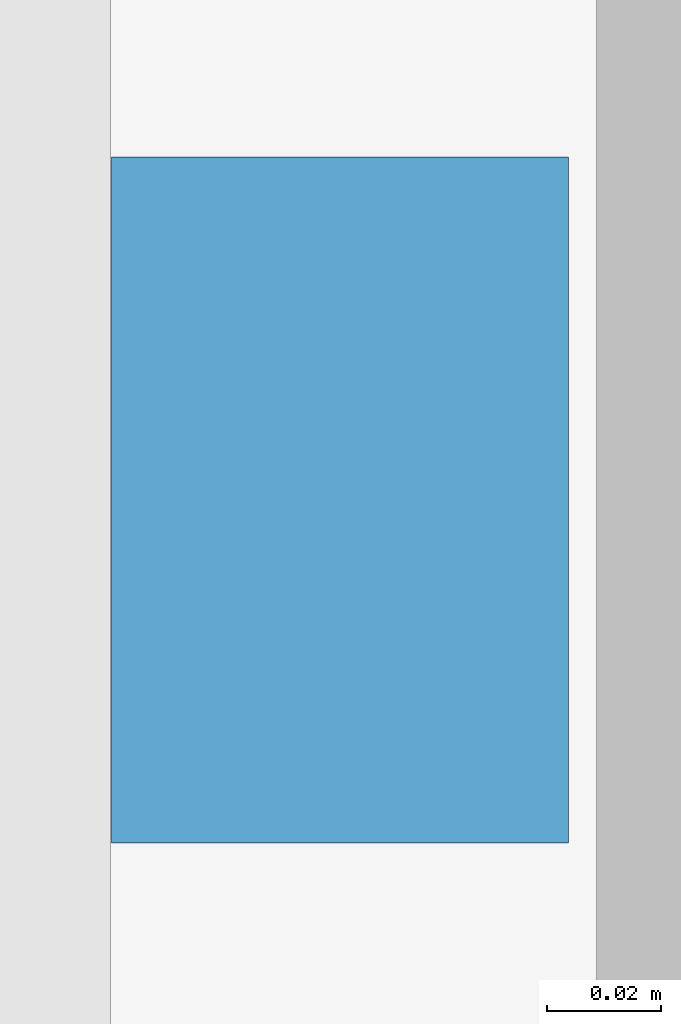
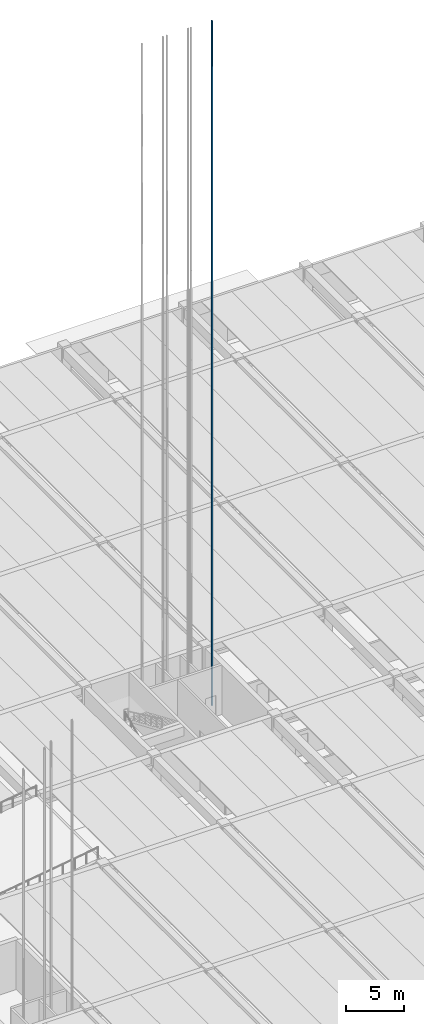
# One storey, part 49 of 59: 1 discrete accessory.
"""IFC4 building model written with IfcOpenShell, lengths in metres."""

import ifcopenshell
import ifcopenshell.guid

model = None  # the IFC model being written
_history = None  # IfcOwnerHistory: only IFC2X3 demands one
_inside = {}  # id of a spatial element -> (the spatial element, [elements in it])
_under = {}  # id of a project, library or spatial element -> (it, [spatial elements below it])
_declared = {}  # id of a project -> (the project, [libraries it declares])
_typed = {}  # id of a type object -> (the type object, [elements of that type])
_made_of = {}  # id of a material, layer set ... -> (it, [elements and type objects made of it])


def new_model(schema):
    """Start an empty IFC model of exactly this schema.

    Asked for "IFC4X3", IfcOpenShell would pick the latest addendum, in which some entities
    have other attributes; the version numbers below select the first issue.
    IFC2X3 requires an IfcOwnerHistory on every rooted entity: one is made here for all.
    """
    global model, _history
    if schema == "IFC4X3":
        model = ifcopenshell.file(schema_version=(4, 3, 0, 0))
    else:
        model = ifcopenshell.file(schema=schema)
    _inside.clear()
    _under.clear()
    _declared.clear()
    _typed.clear()
    _made_of.clear()
    _history = None
    if model.schema == "IFC2X3":
        org = make("IfcOrganization", Name="unknown")
        user = make(
            "IfcPersonAndOrganization",
            ThePerson=make("IfcPerson", FamilyName="unknown"),
            TheOrganization=org,
        )
        app = make(
            "IfcApplication",
            ApplicationDeveloper=org,
            Version="unknown",
            ApplicationFullName="unknown",
            ApplicationIdentifier="unknown",
        )
        _history = make(
            "IfcOwnerHistory",
            OwningUser=user,
            OwningApplication=app,
            ChangeAction="ADDED",
            CreationDate=0,
        )
    return model


def make(cls, **values):
    """One entity of the class cls with the attributes given. An attribute that is None is left unset."""
    return model.create_entity(
        cls, **{name: value for name, value in values.items() if value is not None}
    )


def rooted(cls, **values):
    """An entity with a GlobalId (a new one), such as an element, a storey or a relation."""
    return make(cls, GlobalId=ifcopenshell.guid.new(), OwnerHistory=_history, **values)


def si_unit(unit_type, name, prefix=None):
    """IfcSIUnit, for example si_unit("LENGTHUNIT", "METRE", prefix="MILLI")."""
    return make("IfcSIUnit", UnitType=unit_type, Prefix=prefix, Name=name)


def assignment(units):
    """IfcUnitAssignment: the units of a project."""
    return None if units is None else make("IfcUnitAssignment", Units=units)


def point(xyz):
    """IfcCartesianPoint."""
    return None if xyz is None else make("IfcCartesianPoint", Coordinates=xyz)


def direction(xyz):
    """IfcDirection."""
    return None if xyz is None else make("IfcDirection", DirectionRatios=xyz)


def frame(location, z_axis=None, x_axis=None):
    """IfcAxis2Placement3D, a coordinate frame: its origin and axes. An axis left out is left unset."""
    return make(
        "IfcAxis2Placement3D",
        Location=point(location),
        Axis=direction(z_axis),
        RefDirection=direction(x_axis),
    )


def frame_2d(location, x_axis=None):
    """IfcAxis2Placement2D, a coordinate frame in the plane: its origin and x axis."""
    return make(
        "IfcAxis2Placement2D", Location=point(location), RefDirection=direction(x_axis)
    )


def origin():
    """The frame at (0, 0, 0) with its axes left unset."""
    return frame((0.0, 0.0, 0.0))


def origin_2d():
    """The frame at (0, 0) in the plane with its x axis left unset."""
    return frame_2d((0.0, 0.0))


def place(relative_to, where):
    """IfcLocalPlacement: puts the frame where relative to a parent placement (None: the world)."""
    return make(
        "IfcLocalPlacement", PlacementRelTo=relative_to, RelativePlacement=where
    )


def context(
    kind, dimensions, precision=None, world=None, true_north=None, identifier=None
):
    """IfcGeometricRepresentationContext, for example the 3D "Model" context."""
    return make(
        "IfcGeometricRepresentationContext",
        ContextIdentifier=identifier,
        ContextType=kind,
        CoordinateSpaceDimension=dimensions,
        Precision=precision,
        WorldCoordinateSystem=world,
        TrueNorth=true_north,
    )


def subcontext(parent, identifier, kind, view, scale=None):
    """IfcGeometricRepresentationSubContext, for example "Body" below "Model"."""
    return make(
        "IfcGeometricRepresentationSubContext",
        ContextIdentifier=identifier,
        ContextType=kind,
        ParentContext=parent,
        TargetScale=scale,
        TargetView=view,
    )


def project(units=None, contexts=None):
    """IfcProject with its units and contexts."""
    return rooted(
        "IfcProject",
        Name="project",
        RepresentationContexts=contexts,
        UnitsInContext=assignment(units),
    )


def spatial(cls, under=None, at=None, **own):
    """A site, building, storey or space (cls), placed at a placement, below another one or the project."""
    s = rooted(cls, ObjectPlacement=at, **own)
    if under is not None:
        _under.setdefault(under.id(), (under, []))[1].append(s)
    return s


def profile(cls, at=None, kind="AREA", **sizes):
    """A parametric profile (cls). Its sizes go by their IFC names, for example OverallWidth=200.0."""
    return make(cls, ProfileType=kind, Position=at, **sizes)


def rectangle(**sizes):
    """IfcRectangleProfileDef."""
    return profile("IfcRectangleProfileDef", **sizes)


def extrude(swept, where, along, depth):
    """IfcExtrudedAreaSolid: the profile swept, set in the frame where, extruded along a direction by depth."""
    return make(
        "IfcExtrudedAreaSolid",
        SweptArea=swept,
        Position=where,
        ExtrudedDirection=direction(along),
        Depth=depth,
    )


def shape(context_of_items, identifier, shape_type, items):
    """IfcShapeRepresentation: the items that make up one representation, for example the "Body"."""
    return make(
        "IfcShapeRepresentation",
        ContextOfItems=context_of_items,
        RepresentationIdentifier=identifier,
        RepresentationType=shape_type,
        Items=items,
    )


def material(Name=None, Category=None):
    """IfcMaterial."""
    return make("IfcMaterial", Name=Name, Category=Category)


def made_of(thing, what):
    """Note that an element or type object is made of a material, layer set ...; save() writes the relation."""
    if what is not None:
        _made_of.setdefault(what.id(), (what, []))[1].append(thing)
    return thing


def type_object(cls, material=None, **own):
    """A type object (cls), such as IfcWallType, which elements share."""
    return made_of(rooted(cls, **own), material)


def element(
    cls,
    number,
    at=None,
    inside=None,
    cuts=None,
    type_object=None,
    material=None,
    context=None,
    identifier="Body",
    shape_type=None,
    held_by="IfcProductDefinitionShape",
    body=None,
    shapes=None,
    **own,
):
    """One element of the class cls, such as IfcWall. Its Tag is "e" and its number.

    at: its placement. inside: the storey or other place that contains it. cuts: it is an
    opening in that element (IfcRelVoidsElement). A single representation is given by context,
    identifier, shape_type and body (its items); several are given by shapes. held_by: the class
    of the entity that holds the representations. save() writes the other relations.
    """
    e = rooted(cls, Tag="e%d" % number, ObjectPlacement=at, **own)
    if body is not None:
        shapes = [shape(context, identifier, shape_type, body)]
    if shapes is not None:
        e.Representation = make(held_by, Representations=shapes)
    if inside is not None:
        _inside.setdefault(inside.id(), (inside, []))[1].append(e)
    if cuts is not None:
        rooted(
            "IfcRelVoidsElement", RelatingBuildingElement=cuts, RelatedOpeningElement=e
        )
    if type_object is not None:
        _typed.setdefault(type_object.id(), (type_object, []))[1].append(e)
    return made_of(e, material)


def aggregate(whole, parts):
    """IfcRelAggregates: a whole, such as a stair, and the parts it consists of."""
    return rooted("IfcRelAggregates", RelatingObject=whole, RelatedObjects=parts)


def save(model, path):
    """Write the relations noted so far, then the file.

    IfcRelAggregates (storeys below a building ...), IfcRelContainedInSpatialStructure (elements
    in a storey), IfcRelDefinesByType, IfcRelAssociatesMaterial and IfcRelDeclares: one each for
    every whole, place, type object, material and project.
    """
    for whole, parts in _under.values():
        aggregate(whole, parts)
    for where, things in _inside.values():
        rooted(
            "IfcRelContainedInSpatialStructure",
            RelatedElements=things,
            RelatingStructure=where,
        )
    for kind, things in _typed.values():
        rooted("IfcRelDefinesByType", RelatedObjects=things, RelatingType=kind)
    for what, things in _made_of.values():
        rooted("IfcRelAssociatesMaterial", RelatedObjects=things, RelatingMaterial=what)
    for by, libraries in _declared.values():
        rooted("IfcRelDeclares", RelatingContext=by, RelatedDefinitions=libraries)
    model.write(path)


model = new_model("IFC4")

# Units and contexts
model_context = context("Model", 3, precision=1e-05, world=origin(), true_north=direction((0.0, 1.0)))
body_context = subcontext(model_context, "Body", "Model", "MODEL_VIEW")
ifc_project = project(units=[si_unit("LENGTHUNIT", "METRE"), si_unit("AREAUNIT", "SQUARE_METRE"), si_unit("VOLUMEUNIT", "CUBIC_METRE"), si_unit("PLANEANGLEUNIT", "RADIAN"), si_unit("MASSUNIT", "GRAM", prefix="KILO")], contexts=[model_context])

# Site, building, storey
site_placement = place(None, origin())
site = spatial("IfcSite", under=ifc_project, at=site_placement, CompositionType="ELEMENT")
building_placement = place(site_placement, origin())
building = spatial("IfcBuilding", under=site, at=building_placement, Name="Girod Span Mobility Hub", CompositionType="ELEMENT")
storey_placement = place(building_placement, origin())
storey = spatial("IfcBuildingStorey", under=building, at=storey_placement, Name="L00", CompositionType="ELEMENT", Elevation=0.0)

# Discrete accessory
ifc_material = material(Name="Steel A992 Grade 50", Category="steel")
discrete_accessory_type = type_object("IfcDiscreteAccessoryType", Name="ACC-LFT-RAIL", PredefinedType="USERDEFINED", material=ifc_material)
discrete_accessory_placement = place(storey_placement, frame((119.705078125, 67.300048828125, 0.0), z_axis=(0.0, 0.0, 1.0), x_axis=(1.0, 0.0, 0.0)))
element("IfcDiscreteAccessory", 1, at=discrete_accessory_placement, inside=storey, type_object=discrete_accessory_type, Name="Hoistway Guide Rail LP-4-E", ObjectType="GUIDE RAIL", PredefinedType="USERDEFINED", context=body_context, shape_type="SweptSolid", body=[
    extrude(rectangle(XDim=0.080078125, YDim=0.1201171875, at=origin_2d()), origin(), (0.0, 0.0, 1.0), 71.949951171875),
])

save(model, "model.ifc")
